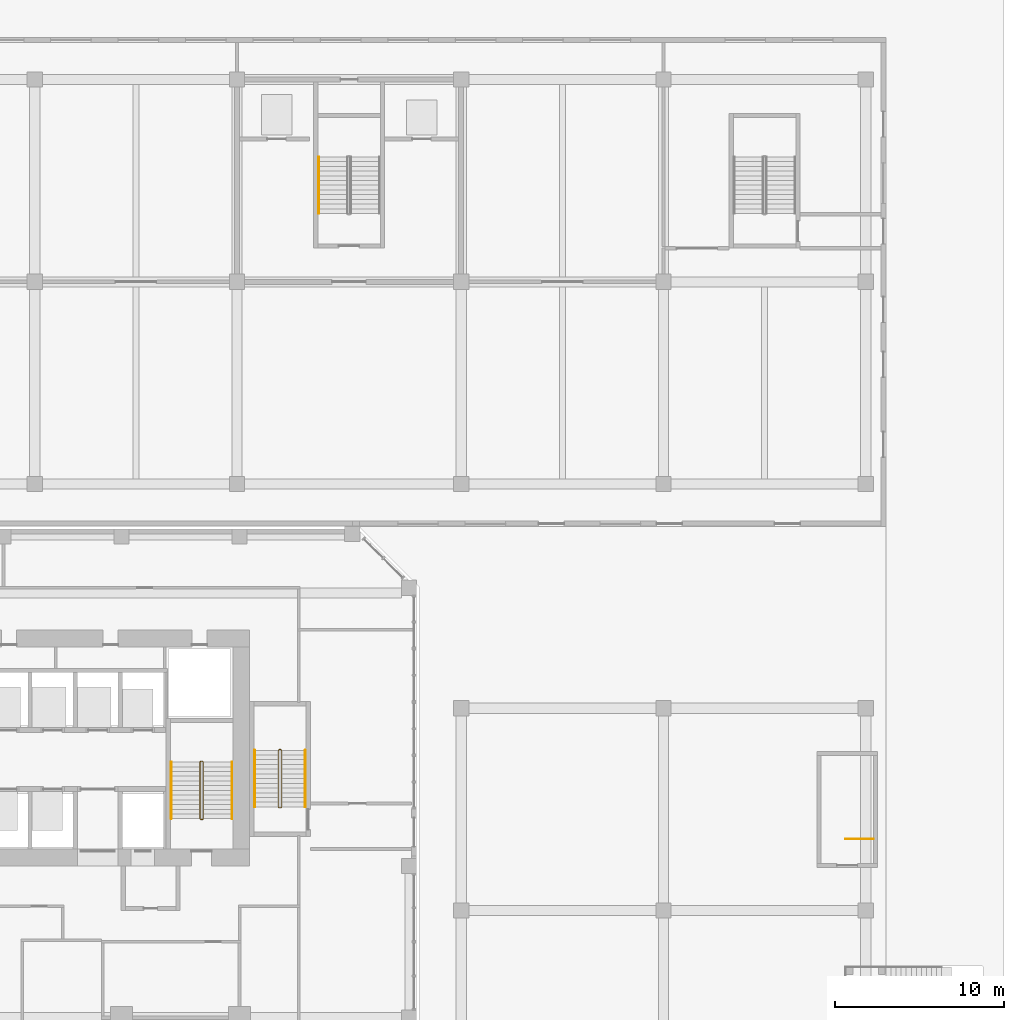
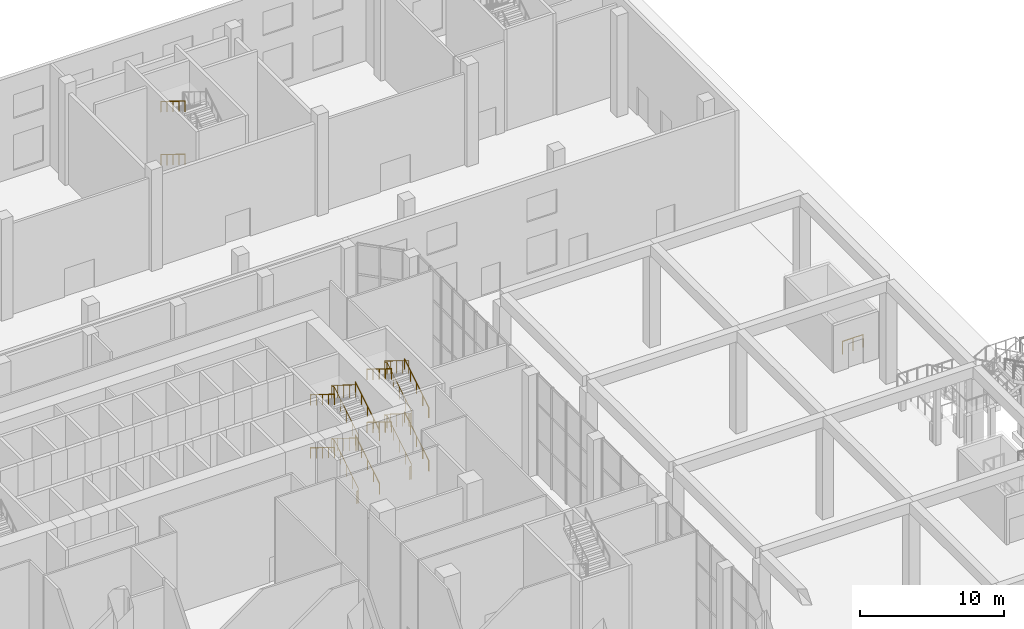
# One storey, part 41 of 43: 13 railings.
"""IFC4 building model written with IfcOpenShell, lengths in metres."""

from ifc_helpers import new_model, si_unit, direction, frame, origin, origin_2d, place, context, subcontext, project, spatial, circle, extrude, material, type_object, element, save


model = new_model("IFC4")

# Units and contexts
model_context = context("Model", 3, precision=1e-05, world=origin(), true_north=direction((0.0, 1.0)))
body_context = subcontext(model_context, "Body", "Model", "MODEL_VIEW")
ifc_project = project(units=[si_unit("LENGTHUNIT", "METRE"), si_unit("AREAUNIT", "SQUARE_METRE"), si_unit("VOLUMEUNIT", "CUBIC_METRE"), si_unit("PLANEANGLEUNIT", "RADIAN"), si_unit("MASSUNIT", "GRAM", prefix="KILO")], contexts=[model_context])

# Site, building, storey
site_placement = place(None, origin())
site = spatial("IfcSite", under=ifc_project, at=site_placement, CompositionType="ELEMENT")
building_placement = place(site_placement, origin())
building = spatial("IfcBuilding", under=site, at=building_placement, Name="Kilnfold Tower and Market Hall", CompositionType="ELEMENT")
storey_placement = place(building_placement, origin())
storey = spatial("IfcBuildingStorey", under=building, at=storey_placement, Name="L00", CompositionType="ELEMENT", Elevation=0.0)

# Railings
ifc_material_1 = material(Name="Stainless steel 316", Category="steel")
railing_type_1 = type_object("IfcRailingType", Name="CAR PARK STAIR GUARD 1100", PredefinedType="GUARDRAIL", material=ifc_material_1)
railing_1_placement = place(storey_placement, frame((55.10009765625, 9.60009765625, 0.0)))
element("IfcRailing", 1, at=railing_1_placement, inside=storey, type_object=railing_type_1, Name="L00 CS4 top well guard 1", PredefinedType="GUARDRAIL", context=body_context, shape_type="SweptSolid", body=[
    extrude(circle(Radius=0.02392578125, at=origin_2d()), frame((0.0, 0.0, 1.076171875), z_axis=(-1.0, 0.0, 0.0), x_axis=(0.0, -1.0, 0.0)), (0.0, 0.0, 1.0), 1.650146484375),
    extrude(circle(Radius=0.02099609375, at=origin_2d()), origin(), (0.0, 0.0, 1.0), 1.052001953125),
    extrude(circle(Radius=0.02099609375, at=origin_2d()), frame((-0.8251953125, 0.0, 0.0)), (0.0, 0.0, 1.0), 1.052001953125),
    extrude(circle(Radius=0.02099609375, at=origin_2d()), frame((-1.650146484375, 0.0, 0.0)), (0.0, 0.0, 1.0), 1.052001953125),
])
ifc_material_2 = material(Name="Stainless steel 316", Category="steel")
railing_type_2 = type_object("IfcRailingType", Name="CORE STAIR GUARD 1100", PredefinedType="GUARDRAIL", material=ifc_material_2)
railing_2_placement = place(storey_placement, frame((15.199951171875, 10.75, 0.0)))
element("IfcRailing", 2, at=railing_2_placement, inside=storey, type_object=railing_type_2, Name="L00 ST2 stair guard 1", PredefinedType="GUARDRAIL", context=body_context, shape_type="SweptSolid", body=[
    extrude(circle(Radius=0.02392578125, at=origin_2d()), frame((0.0, 0.0, 1.076171875), z_axis=(1.0, 0.0, 0.0), x_axis=(0.0, 1.0, 0.0)), (0.0, 0.0, 1.0), 0.10009765625),
    extrude(circle(Radius=0.02392578125, at=origin_2d()), frame((0.10009765625, 0.0, 1.076171875), z_axis=(0.267629722418, 0.267629722418, 0.925607186314), x_axis=(-0.707106781187, 0.707106781187, 0.0)), (0.0, 0.0, 1.0), 0.18701171875),
    extrude(circle(Radius=0.02392578125, at=origin_2d()), frame((0.150146484375, 0.050048828125, 1.2490234375), z_axis=(0.0, 0.850606129759, 0.525803396734), x_axis=(-1.0, 0.0, 0.0)), (0.0, 0.0, 1.0), 3.949951171875),
    extrude(circle(Radius=0.02392578125, at=origin_2d()), frame((0.150146484375, 3.409912109375, 3.326171875), z_axis=(-0.707106781187, 0.707106781187, 0.0), x_axis=(-0.707106781187, -0.707106781187, 0.0)), (0.0, 0.0, 1.0), 0.07080078125),
    extrude(circle(Radius=0.02392578125, at=origin_2d()), frame((0.10009765625, 3.4599609375, 3.326171875), z_axis=(-1.0, 0.0, 0.0), x_axis=(0.0, -1.0, 0.0)), (0.0, 0.0, 1.0), 0.10009765625),
    extrude(circle(Radius=0.02392578125, at=origin_2d()), frame((0.0, 3.4599609375, 3.326171875), z_axis=(-0.267629722418, -0.267629722418, 0.925607186314), x_axis=(0.707106781187, -0.707106781187, 0.0)), (0.0, 0.0, 1.0), 0.18701171875),
    extrude(circle(Radius=0.02392578125, at=origin_2d()), frame((-0.050048828125, 3.409912109375, 3.4990234375), z_axis=(0.0, -0.850606129759, 0.525803396734), x_axis=(1.0, 0.0, 0.0)), (0.0, 0.0, 1.0), 3.949951171875),
    extrude(circle(Radius=0.02392578125, at=origin_2d()), frame((-0.050048828125, 0.050048828125, 5.576171875), z_axis=(0.707106781187, -0.707106781187, 0.0), x_axis=(0.707106781187, 0.707106781187, 0.0)), (0.0, 0.0, 1.0), 0.07080078125),
    extrude(circle(Radius=0.02392578125, at=origin_2d()), frame((0.0, 0.0, 5.576171875), z_axis=(1.0, 0.0, 0.0), x_axis=(0.0, 1.0, 0.0)), (0.0, 0.0, 1.0), 0.10009765625),
    extrude(circle(Radius=0.02392578125, at=origin_2d()), frame((0.10009765625, 0.0, 5.576171875), z_axis=(0.267629722418, 0.267629722418, 0.925607186314), x_axis=(-0.707106781187, 0.707106781187, 0.0)), (0.0, 0.0, 1.0), 0.18701171875),
    extrude(circle(Radius=0.02392578125, at=origin_2d()), frame((0.150146484375, 0.050048828125, 5.7490234375), z_axis=(0.0, 0.850606129759, 0.525803396734), x_axis=(-1.0, 0.0, 0.0)), (0.0, 0.0, 1.0), 3.949951171875),
    extrude(circle(Radius=0.02392578125, at=origin_2d()), frame((0.150146484375, 3.409912109375, 7.826171875), z_axis=(-0.707106781187, 0.707106781187, 0.0), x_axis=(-0.707106781187, -0.707106781187, 0.0)), (0.0, 0.0, 1.0), 0.07080078125),
    extrude(circle(Radius=0.02392578125, at=origin_2d()), frame((0.10009765625, 3.4599609375, 7.826171875), z_axis=(-1.0, 0.0, 0.0), x_axis=(0.0, -1.0, 0.0)), (0.0, 0.0, 1.0), 0.10009765625),
    extrude(circle(Radius=0.02392578125, at=origin_2d()), frame((0.0, 3.4599609375, 7.826171875), z_axis=(-0.267629722418, -0.267629722418, 0.925607186314), x_axis=(0.707106781187, -0.707106781187, 0.0)), (0.0, 0.0, 1.0), 0.18701171875),
    extrude(circle(Radius=0.02392578125, at=origin_2d()), frame((-0.050048828125, 3.409912109375, 7.9990234375), z_axis=(0.0, -0.850606129759, 0.525803396734), x_axis=(1.0, 0.0, 0.0)), (0.0, 0.0, 1.0), 3.949951171875),
    extrude(circle(Radius=0.02099609375, at=origin_2d()), origin(), (0.0, 0.0, 1.0), 1.052001953125),
    extrude(circle(Radius=0.02099609375, at=origin_2d()), frame((0.10009765625, 0.0, 0.0)), (0.0, 0.0, 1.0), 1.052001953125),
    extrude(circle(Radius=0.02099609375, at=origin_2d()), frame((0.150146484375, 0.050048828125, 0.173095703125)), (0.0, 0.0, 1.0), 1.052001953125),
    extrude(circle(Radius=0.02099609375, at=origin_2d()), frame((0.150146484375, 0.89013671875, 0.6923828125)), (0.0, 0.0, 1.0), 1.052001953125),
    extrude(circle(Radius=0.02099609375, at=origin_2d()), frame((0.150146484375, 1.72998046875, 1.21142578125)), (0.0, 0.0, 1.0), 1.052001953125),
    extrude(circle(Radius=0.02099609375, at=origin_2d()), frame((0.150146484375, 2.56982421875, 1.730712890625)), (0.0, 0.0, 1.0), 1.052001953125),
    extrude(circle(Radius=0.02099609375, at=origin_2d()), frame((0.150146484375, 3.409912109375, 2.25)), (0.0, 0.0, 1.0), 1.052001953125),
    extrude(circle(Radius=0.02099609375, at=origin_2d()), frame((0.10009765625, 3.4599609375, 2.25)), (0.0, 0.0, 1.0), 1.052001953125),
    extrude(circle(Radius=0.02099609375, at=origin_2d()), frame((0.0, 3.4599609375, 2.25)), (0.0, 0.0, 1.0), 1.052001953125),
    extrude(circle(Radius=0.02099609375, at=origin_2d()), frame((-0.050048828125, 3.409912109375, 2.423095703125)), (0.0, 0.0, 1.0), 1.052001953125),
    extrude(circle(Radius=0.02099609375, at=origin_2d()), frame((-0.050048828125, 2.56982421875, 2.9423828125)), (0.0, 0.0, 1.0), 1.052001953125),
    extrude(circle(Radius=0.02099609375, at=origin_2d()), frame((-0.050048828125, 1.72998046875, 3.46142578125)), (0.0, 0.0, 1.0), 1.052001953125),
    extrude(circle(Radius=0.02099609375, at=origin_2d()), frame((-0.050048828125, 0.89013671875, 3.980712890625)), (0.0, 0.0, 1.0), 1.052001953125),
    extrude(circle(Radius=0.02099609375, at=origin_2d()), frame((-0.050048828125, 0.050048828125, 4.5)), (0.0, 0.0, 1.0), 1.052001953125),
    extrude(circle(Radius=0.02099609375, at=origin_2d()), frame((0.0, 0.0, 4.5)), (0.0, 0.0, 1.0), 1.052001953125),
    extrude(circle(Radius=0.02099609375, at=origin_2d()), frame((0.10009765625, 0.0, 4.5)), (0.0, 0.0, 1.0), 1.052001953125),
    extrude(circle(Radius=0.02099609375, at=origin_2d()), frame((0.150146484375, 0.050048828125, 4.673095703125)), (0.0, 0.0, 1.0), 1.052001953125),
    extrude(circle(Radius=0.02099609375, at=origin_2d()), frame((0.150146484375, 0.89013671875, 5.1923828125)), (0.0, 0.0, 1.0), 1.052001953125),
    extrude(circle(Radius=0.02099609375, at=origin_2d()), frame((0.150146484375, 1.72998046875, 5.71142578125)), (0.0, 0.0, 1.0), 1.052001953125),
    extrude(circle(Radius=0.02099609375, at=origin_2d()), frame((0.150146484375, 2.56982421875, 6.230712890625)), (0.0, 0.0, 1.0), 1.052001953125),
    extrude(circle(Radius=0.02099609375, at=origin_2d()), frame((0.150146484375, 3.409912109375, 6.75)), (0.0, 0.0, 1.0), 1.052001953125),
    extrude(circle(Radius=0.02099609375, at=origin_2d()), frame((0.10009765625, 3.4599609375, 6.75)), (0.0, 0.0, 1.0), 1.052001953125),
    extrude(circle(Radius=0.02099609375, at=origin_2d()), frame((0.0, 3.4599609375, 6.75)), (0.0, 0.0, 1.0), 1.052001953125),
    extrude(circle(Radius=0.02099609375, at=origin_2d()), frame((-0.050048828125, 3.409912109375, 6.923095703125)), (0.0, 0.0, 1.0), 1.052001953125),
    extrude(circle(Radius=0.02099609375, at=origin_2d()), frame((-0.050048828125, 2.56982421875, 7.4423828125)), (0.0, 0.0, 1.0), 1.052001953125),
    extrude(circle(Radius=0.02099609375, at=origin_2d()), frame((-0.050048828125, 1.72998046875, 7.96142578125)), (0.0, 0.0, 1.0), 1.052001953125),
    extrude(circle(Radius=0.02099609375, at=origin_2d()), frame((-0.050048828125, 0.89013671875, 8.480712890625)), (0.0, 0.0, 1.0), 1.052001953125),
    extrude(circle(Radius=0.02099609375, at=origin_2d()), frame((-0.050048828125, 0.050048828125, 9.0)), (0.0, 0.0, 1.0), 1.052001953125),
])
railing_3_placement = place(storey_placement, frame((19.85009765625, 11.449951171875, 0.0)))
element("IfcRailing", 3, at=railing_3_placement, inside=storey, type_object=railing_type_2, Name="L00 ST5 stair guard 1", PredefinedType="GUARDRAIL", context=body_context, shape_type="SweptSolid", body=[
    extrude(circle(Radius=0.02392578125, at=origin_2d()), frame((0.0, 0.0, 1.076171875), z_axis=(1.0, 0.0, 0.0), x_axis=(0.0, 1.0, 0.0)), (0.0, 0.0, 1.0), 0.099853515625),
    extrude(circle(Radius=0.02392578125, at=origin_2d()), frame((0.099853515625, 0.0, 1.076171875), z_axis=(0.267629722418, 0.267629722418, 0.925607186314), x_axis=(-0.707106781187, 0.707106781187, 0.0)), (0.0, 0.0, 1.0), 0.18701171875),
    extrude(circle(Radius=0.02392578125, at=origin_2d()), frame((0.14990234375, 0.050048828125, 1.2490234375), z_axis=(0.0, 0.850623216509, 0.525775754039), x_axis=(-1.0, 0.0, 0.0)), (0.0, 0.0, 1.0), 3.9501953125),
    extrude(circle(Radius=0.02392578125, at=origin_2d()), frame((0.14990234375, 3.41015625, 3.326171875), z_axis=(-0.708833529934, 0.705375805398, 0.0), x_axis=(-0.705375805398, -0.708833529934, 0.0)), (0.0, 0.0, 1.0), 0.070556640625),
    extrude(circle(Radius=0.02392578125, at=origin_2d()), frame((0.099853515625, 3.4599609375, 3.326171875), z_axis=(-1.0, 0.0, 0.0), x_axis=(0.0, -1.0, 0.0)), (0.0, 0.0, 1.0), 0.099853515625),
    extrude(circle(Radius=0.02392578125, at=origin_2d()), frame((0.0, 3.4599609375, 3.326171875), z_axis=(-0.267723051232, -0.266417085129, 0.925929967433), x_axis=(0.705375805398, -0.708833529934, 0.0)), (0.0, 0.0, 1.0), 0.18701171875),
    extrude(circle(Radius=0.02392578125, at=origin_2d()), frame((-0.050048828125, 3.41015625, 3.4990234375), z_axis=(0.0, -0.850623216509, 0.525775754039), x_axis=(1.0, 0.0, 0.0)), (0.0, 0.0, 1.0), 3.9501953125),
    extrude(circle(Radius=0.02392578125, at=origin_2d()), frame((-0.050048828125, 0.050048828125, 5.576171875), z_axis=(0.707106781187, -0.707106781187, 0.0), x_axis=(0.707106781187, 0.707106781187, 0.0)), (0.0, 0.0, 1.0), 0.07080078125),
    extrude(circle(Radius=0.02392578125, at=origin_2d()), frame((0.0, 0.0, 5.576171875), z_axis=(1.0, 0.0, 0.0), x_axis=(0.0, 1.0, 0.0)), (0.0, 0.0, 1.0), 0.099853515625),
    extrude(circle(Radius=0.02392578125, at=origin_2d()), frame((0.099853515625, 0.0, 5.576171875), z_axis=(0.267629722418, 0.267629722418, 0.925607186314), x_axis=(-0.707106781187, 0.707106781187, 0.0)), (0.0, 0.0, 1.0), 0.18701171875),
    extrude(circle(Radius=0.02392578125, at=origin_2d()), frame((0.14990234375, 0.050048828125, 5.7490234375), z_axis=(0.0, 0.850623216509, 0.525775754039), x_axis=(-1.0, 0.0, 0.0)), (0.0, 0.0, 1.0), 3.9501953125),
    extrude(circle(Radius=0.02392578125, at=origin_2d()), frame((0.14990234375, 3.41015625, 7.826171875), z_axis=(-0.708833529934, 0.705375805398, 0.0), x_axis=(-0.705375805398, -0.708833529934, 0.0)), (0.0, 0.0, 1.0), 0.070556640625),
    extrude(circle(Radius=0.02392578125, at=origin_2d()), frame((0.099853515625, 3.4599609375, 7.826171875), z_axis=(-1.0, 0.0, 0.0), x_axis=(0.0, -1.0, 0.0)), (0.0, 0.0, 1.0), 0.099853515625),
    extrude(circle(Radius=0.02392578125, at=origin_2d()), frame((0.0, 3.4599609375, 7.826171875), z_axis=(-0.267723051232, -0.266417085129, 0.925929967433), x_axis=(0.705375805398, -0.708833529934, 0.0)), (0.0, 0.0, 1.0), 0.18701171875),
    extrude(circle(Radius=0.02392578125, at=origin_2d()), frame((-0.050048828125, 3.41015625, 7.9990234375), z_axis=(0.0, -0.850623216509, 0.525775754039), x_axis=(1.0, 0.0, 0.0)), (0.0, 0.0, 1.0), 3.9501953125),
    extrude(circle(Radius=0.02099609375, at=origin_2d()), origin(), (0.0, 0.0, 1.0), 1.052001953125),
    extrude(circle(Radius=0.02099609375, at=origin_2d()), frame((0.099853515625, 0.0, 0.0)), (0.0, 0.0, 1.0), 1.052001953125),
    extrude(circle(Radius=0.02099609375, at=origin_2d()), frame((0.14990234375, 0.050048828125, 0.173095703125)), (0.0, 0.0, 1.0), 1.052001953125),
    extrude(circle(Radius=0.02099609375, at=origin_2d()), frame((0.14990234375, 0.89013671875, 0.6923828125)), (0.0, 0.0, 1.0), 1.052001953125),
    extrude(circle(Radius=0.02099609375, at=origin_2d()), frame((0.14990234375, 1.72998046875, 1.21142578125)), (0.0, 0.0, 1.0), 1.052001953125),
    extrude(circle(Radius=0.02099609375, at=origin_2d()), frame((0.14990234375, 2.570068359375, 1.730712890625)), (0.0, 0.0, 1.0), 1.052001953125),
    extrude(circle(Radius=0.02099609375, at=origin_2d()), frame((0.14990234375, 3.41015625, 2.25)), (0.0, 0.0, 1.0), 1.052001953125),
    extrude(circle(Radius=0.02099609375, at=origin_2d()), frame((0.099853515625, 3.4599609375, 2.25)), (0.0, 0.0, 1.0), 1.052001953125),
    extrude(circle(Radius=0.02099609375, at=origin_2d()), frame((0.0, 3.4599609375, 2.25)), (0.0, 0.0, 1.0), 1.052001953125),
    extrude(circle(Radius=0.02099609375, at=origin_2d()), frame((-0.050048828125, 3.41015625, 2.423095703125)), (0.0, 0.0, 1.0), 1.052001953125),
    extrude(circle(Radius=0.02099609375, at=origin_2d()), frame((-0.050048828125, 2.570068359375, 2.9423828125)), (0.0, 0.0, 1.0), 1.052001953125),
    extrude(circle(Radius=0.02099609375, at=origin_2d()), frame((-0.050048828125, 1.72998046875, 3.46142578125)), (0.0, 0.0, 1.0), 1.052001953125),
    extrude(circle(Radius=0.02099609375, at=origin_2d()), frame((-0.050048828125, 0.89013671875, 3.980712890625)), (0.0, 0.0, 1.0), 1.052001953125),
    extrude(circle(Radius=0.02099609375, at=origin_2d()), frame((-0.050048828125, 0.050048828125, 4.5)), (0.0, 0.0, 1.0), 1.052001953125),
    extrude(circle(Radius=0.02099609375, at=origin_2d()), frame((0.0, 0.0, 4.5)), (0.0, 0.0, 1.0), 1.052001953125),
    extrude(circle(Radius=0.02099609375, at=origin_2d()), frame((0.099853515625, 0.0, 4.5)), (0.0, 0.0, 1.0), 1.052001953125),
    extrude(circle(Radius=0.02099609375, at=origin_2d()), frame((0.14990234375, 0.050048828125, 4.673095703125)), (0.0, 0.0, 1.0), 1.052001953125),
    extrude(circle(Radius=0.02099609375, at=origin_2d()), frame((0.14990234375, 0.89013671875, 5.1923828125)), (0.0, 0.0, 1.0), 1.052001953125),
    extrude(circle(Radius=0.02099609375, at=origin_2d()), frame((0.14990234375, 1.72998046875, 5.71142578125)), (0.0, 0.0, 1.0), 1.052001953125),
    extrude(circle(Radius=0.02099609375, at=origin_2d()), frame((0.14990234375, 2.570068359375, 6.230712890625)), (0.0, 0.0, 1.0), 1.052001953125),
    extrude(circle(Radius=0.02099609375, at=origin_2d()), frame((0.14990234375, 3.41015625, 6.75)), (0.0, 0.0, 1.0), 1.052001953125),
    extrude(circle(Radius=0.02099609375, at=origin_2d()), frame((0.099853515625, 3.4599609375, 6.75)), (0.0, 0.0, 1.0), 1.052001953125),
    extrude(circle(Radius=0.02099609375, at=origin_2d()), frame((0.0, 3.4599609375, 6.75)), (0.0, 0.0, 1.0), 1.052001953125),
    extrude(circle(Radius=0.02099609375, at=origin_2d()), frame((-0.050048828125, 3.41015625, 6.923095703125)), (0.0, 0.0, 1.0), 1.052001953125),
    extrude(circle(Radius=0.02099609375, at=origin_2d()), frame((-0.050048828125, 2.570068359375, 7.4423828125)), (0.0, 0.0, 1.0), 1.052001953125),
    extrude(circle(Radius=0.02099609375, at=origin_2d()), frame((-0.050048828125, 1.72998046875, 7.96142578125)), (0.0, 0.0, 1.0), 1.052001953125),
    extrude(circle(Radius=0.02099609375, at=origin_2d()), frame((-0.050048828125, 0.89013671875, 8.480712890625)), (0.0, 0.0, 1.0), 1.052001953125),
    extrude(circle(Radius=0.02099609375, at=origin_2d()), frame((-0.050048828125, 0.050048828125, 9.0)), (0.0, 0.0, 1.0), 1.052001953125),
])
ifc_material_3 = material(Name="Stainless steel 316", Category="steel")
railing_type_3 = type_object("IfcRailingType", Name="CORE STAIR HANDRAIL 900", PredefinedType="HANDRAIL", material=ifc_material_3)
railing_4_placement = place(storey_placement, frame((17.050048828125, 10.800048828125, 0.173095703125)))
element("IfcRailing", 4, at=railing_4_placement, inside=storey, type_object=railing_type_3, Name="L00 ST2 stair handrail 1", PredefinedType="HANDRAIL", context=body_context, shape_type="SweptSolid", body=[
    extrude(circle(Radius=0.02392578125, at=origin_2d()), frame((0.0, 0.0, 0.8759765625), z_axis=(0.0, 0.850606129759, 0.525803396734), x_axis=(-1.0, 0.0, 0.0)), (0.0, 0.0, 1.0), 3.949951171875),
    extrude(circle(Radius=0.02099609375, at=origin_2d()), origin(), (0.0, 0.0, 1.0), 0.851806640625),
    extrude(circle(Radius=0.02099609375, at=origin_2d()), frame((0.0, 0.83984375, 0.519287109375)), (0.0, 0.0, 1.0), 0.851806640625),
    extrude(circle(Radius=0.02099609375, at=origin_2d()), frame((0.0, 1.679931640625, 1.03857421875)), (0.0, 0.0, 1.0), 0.851806640625),
    extrude(circle(Radius=0.02099609375, at=origin_2d()), frame((0.0, 2.52001953125, 1.5576171875)), (0.0, 0.0, 1.0), 0.851806640625),
    extrude(circle(Radius=0.02099609375, at=origin_2d()), frame((0.0, 3.35986328125, 2.076904296875)), (0.0, 0.0, 1.0), 0.851806640625),
])
railing_5_placement = place(storey_placement, frame((13.449951171875, 14.159912109375, 2.423095703125)))
element("IfcRailing", 5, at=railing_5_placement, inside=storey, type_object=railing_type_3, Name="L00 ST2 stair handrail 2", PredefinedType="HANDRAIL", context=body_context, shape_type="SweptSolid", body=[
    extrude(circle(Radius=0.02392578125, at=origin_2d()), frame((0.0, 0.0, 0.8759765625), z_axis=(0.0, -0.850606129759, 0.525803396734), x_axis=(1.0, 0.0, 0.0)), (0.0, 0.0, 1.0), 3.949951171875),
    extrude(circle(Radius=0.02099609375, at=origin_2d()), origin(), (0.0, 0.0, 1.0), 0.851806640625),
    extrude(circle(Radius=0.02099609375, at=origin_2d()), frame((0.0, -0.83984375, 0.519287109375)), (0.0, 0.0, 1.0), 0.851806640625),
    extrude(circle(Radius=0.02099609375, at=origin_2d()), frame((0.0, -1.679931640625, 1.03857421875)), (0.0, 0.0, 1.0), 0.851806640625),
    extrude(circle(Radius=0.02099609375, at=origin_2d()), frame((0.0, -2.52001953125, 1.5576171875)), (0.0, 0.0, 1.0), 0.851806640625),
    extrude(circle(Radius=0.02099609375, at=origin_2d()), frame((0.0, -3.35986328125, 2.076904296875)), (0.0, 0.0, 1.0), 0.851806640625),
])
railing_6_placement = place(storey_placement, frame((17.050048828125, 10.800048828125, 4.673095703125)))
element("IfcRailing", 6, at=railing_6_placement, inside=storey, type_object=railing_type_3, Name="L00 ST2 stair handrail 3", PredefinedType="HANDRAIL", context=body_context, shape_type="SweptSolid", body=[
    extrude(circle(Radius=0.02392578125, at=origin_2d()), frame((0.0, 0.0, 0.8759765625), z_axis=(0.0, 0.850606129759, 0.525803396734), x_axis=(-1.0, 0.0, 0.0)), (0.0, 0.0, 1.0), 3.949951171875),
    extrude(circle(Radius=0.02099609375, at=origin_2d()), origin(), (0.0, 0.0, 1.0), 0.851806640625),
    extrude(circle(Radius=0.02099609375, at=origin_2d()), frame((0.0, 0.83984375, 0.519287109375)), (0.0, 0.0, 1.0), 0.851806640625),
    extrude(circle(Radius=0.02099609375, at=origin_2d()), frame((0.0, 1.679931640625, 1.03857421875)), (0.0, 0.0, 1.0), 0.851806640625),
    extrude(circle(Radius=0.02099609375, at=origin_2d()), frame((0.0, 2.52001953125, 1.5576171875)), (0.0, 0.0, 1.0), 0.851806640625),
    extrude(circle(Radius=0.02099609375, at=origin_2d()), frame((0.0, 3.35986328125, 2.076904296875)), (0.0, 0.0, 1.0), 0.851806640625),
])
railing_7_placement = place(storey_placement, frame((13.449951171875, 14.159912109375, 6.923095703125)))
element("IfcRailing", 7, at=railing_7_placement, inside=storey, type_object=railing_type_3, Name="L00 ST2 stair handrail 4", PredefinedType="HANDRAIL", context=body_context, shape_type="SweptSolid", body=[
    extrude(circle(Radius=0.02392578125, at=origin_2d()), frame((0.0, 0.0, 0.8759765625), z_axis=(0.0, -0.850606129759, 0.525803396734), x_axis=(1.0, 0.0, 0.0)), (0.0, 0.0, 1.0), 3.949951171875),
    extrude(circle(Radius=0.02099609375, at=origin_2d()), origin(), (0.0, 0.0, 1.0), 0.851806640625),
    extrude(circle(Radius=0.02099609375, at=origin_2d()), frame((0.0, -0.83984375, 0.519287109375)), (0.0, 0.0, 1.0), 0.851806640625),
    extrude(circle(Radius=0.02099609375, at=origin_2d()), frame((0.0, -1.679931640625, 1.03857421875)), (0.0, 0.0, 1.0), 0.851806640625),
    extrude(circle(Radius=0.02099609375, at=origin_2d()), frame((0.0, -2.52001953125, 1.5576171875)), (0.0, 0.0, 1.0), 0.851806640625),
    extrude(circle(Radius=0.02099609375, at=origin_2d()), frame((0.0, -3.35986328125, 2.076904296875)), (0.0, 0.0, 1.0), 0.851806640625),
])
railing_8_placement = place(storey_placement, frame((21.39990234375, 11.5, 0.173095703125)))
element("IfcRailing", 8, at=railing_8_placement, inside=storey, type_object=railing_type_3, Name="L00 ST5 stair handrail 1", PredefinedType="HANDRAIL", context=body_context, shape_type="SweptSolid", body=[
    extrude(circle(Radius=0.02392578125, at=origin_2d()), frame((0.0, 0.0, 0.8759765625), z_axis=(0.0, 0.850623216509, 0.525775754039), x_axis=(-1.0, 0.0, 0.0)), (0.0, 0.0, 1.0), 3.9501953125),
    extrude(circle(Radius=0.02099609375, at=origin_2d()), origin(), (0.0, 0.0, 1.0), 0.851806640625),
    extrude(circle(Radius=0.02099609375, at=origin_2d()), frame((0.0, 0.840087890625, 0.519287109375)), (0.0, 0.0, 1.0), 0.851806640625),
    extrude(circle(Radius=0.02099609375, at=origin_2d()), frame((0.0, 1.68017578125, 1.03857421875)), (0.0, 0.0, 1.0), 0.851806640625),
    extrude(circle(Radius=0.02099609375, at=origin_2d()), frame((0.0, 2.52001953125, 1.5576171875)), (0.0, 0.0, 1.0), 0.851806640625),
    extrude(circle(Radius=0.02099609375, at=origin_2d()), frame((0.0, 3.360107421875, 2.076904296875)), (0.0, 0.0, 1.0), 0.851806640625),
])
railing_9_placement = place(storey_placement, frame((18.39990234375, 14.860107421875, 2.423095703125)))
element("IfcRailing", 9, at=railing_9_placement, inside=storey, type_object=railing_type_3, Name="L00 ST5 stair handrail 2", PredefinedType="HANDRAIL", context=body_context, shape_type="SweptSolid", body=[
    extrude(circle(Radius=0.02392578125, at=origin_2d()), frame((0.0, 0.0, 0.8759765625), z_axis=(0.0, -0.850623216509, 0.525775754039), x_axis=(1.0, 0.0, 0.0)), (0.0, 0.0, 1.0), 3.9501953125),
    extrude(circle(Radius=0.02099609375, at=origin_2d()), origin(), (0.0, 0.0, 1.0), 0.851806640625),
    extrude(circle(Radius=0.02099609375, at=origin_2d()), frame((0.0, -0.840087890625, 0.519287109375)), (0.0, 0.0, 1.0), 0.851806640625),
    extrude(circle(Radius=0.02099609375, at=origin_2d()), frame((0.0, -1.68017578125, 1.03857421875)), (0.0, 0.0, 1.0), 0.851806640625),
    extrude(circle(Radius=0.02099609375, at=origin_2d()), frame((0.0, -2.52001953125, 1.5576171875)), (0.0, 0.0, 1.0), 0.851806640625),
    extrude(circle(Radius=0.02099609375, at=origin_2d()), frame((0.0, -3.360107421875, 2.076904296875)), (0.0, 0.0, 1.0), 0.851806640625),
])
railing_10_placement = place(storey_placement, frame((21.39990234375, 11.5, 4.673095703125)))
element("IfcRailing", 10, at=railing_10_placement, inside=storey, type_object=railing_type_3, Name="L00 ST5 stair handrail 3", PredefinedType="HANDRAIL", context=body_context, shape_type="SweptSolid", body=[
    extrude(circle(Radius=0.02392578125, at=origin_2d()), frame((0.0, 0.0, 0.8759765625), z_axis=(0.0, 0.850623216509, 0.525775754039), x_axis=(-1.0, 0.0, 0.0)), (0.0, 0.0, 1.0), 3.9501953125),
    extrude(circle(Radius=0.02099609375, at=origin_2d()), origin(), (0.0, 0.0, 1.0), 0.851806640625),
    extrude(circle(Radius=0.02099609375, at=origin_2d()), frame((0.0, 0.840087890625, 0.519287109375)), (0.0, 0.0, 1.0), 0.851806640625),
    extrude(circle(Radius=0.02099609375, at=origin_2d()), frame((0.0, 1.68017578125, 1.03857421875)), (0.0, 0.0, 1.0), 0.851806640625),
    extrude(circle(Radius=0.02099609375, at=origin_2d()), frame((0.0, 2.52001953125, 1.5576171875)), (0.0, 0.0, 1.0), 0.851806640625),
    extrude(circle(Radius=0.02099609375, at=origin_2d()), frame((0.0, 3.360107421875, 2.076904296875)), (0.0, 0.0, 1.0), 0.851806640625),
])
railing_11_placement = place(storey_placement, frame((18.39990234375, 14.860107421875, 6.923095703125)))
element("IfcRailing", 11, at=railing_11_placement, inside=storey, type_object=railing_type_3, Name="L00 ST5 stair handrail 4", PredefinedType="HANDRAIL", context=body_context, shape_type="SweptSolid", body=[
    extrude(circle(Radius=0.02392578125, at=origin_2d()), frame((0.0, 0.0, 0.8759765625), z_axis=(0.0, -0.850623216509, 0.525775754039), x_axis=(1.0, 0.0, 0.0)), (0.0, 0.0, 1.0), 3.9501953125),
    extrude(circle(Radius=0.02099609375, at=origin_2d()), origin(), (0.0, 0.0, 1.0), 0.851806640625),
    extrude(circle(Radius=0.02099609375, at=origin_2d()), frame((0.0, -0.840087890625, 0.519287109375)), (0.0, 0.0, 1.0), 0.851806640625),
    extrude(circle(Radius=0.02099609375, at=origin_2d()), frame((0.0, -1.68017578125, 1.03857421875)), (0.0, 0.0, 1.0), 0.851806640625),
    extrude(circle(Radius=0.02099609375, at=origin_2d()), frame((0.0, -2.52001953125, 1.5576171875)), (0.0, 0.0, 1.0), 0.851806640625),
    extrude(circle(Radius=0.02099609375, at=origin_2d()), frame((0.0, -3.360107421875, 2.076904296875)), (0.0, 0.0, 1.0), 0.851806640625),
])
ifc_material_4 = material(Name="Steel S355", Category="steel")
railing_type_4 = type_object("IfcRailingType", Name="HALL STAIR HANDRAIL", PredefinedType="HANDRAIL", material=ifc_material_4)
for number, where, name in (
    (12, (22.199951171875, 50.06005859375, 2.423095703125), "L00 MS5 stair handrail 2"),
    (13, (22.199951171875, 50.06005859375, 6.923095703125), "L00 MS5 stair handrail 4"),
):
    element("IfcRailing", number, at=place(storey_placement, frame(where)), inside=storey, type_object=railing_type_4, Name=name, PredefinedType="HANDRAIL", context=body_context, shape_type="SweptSolid", body=[
        extrude(circle(Radius=0.02392578125, at=origin_2d()), frame((0.0, 0.0, 0.8759765625), z_axis=(0.0, -0.850623216509, 0.525775754039), x_axis=(1.0, 0.0, 0.0)), (0.0, 0.0, 1.0), 3.9501953125),
        extrude(circle(Radius=0.02099609375, at=origin_2d()), origin(), (0.0, 0.0, 1.0), 0.851806640625),
        extrude(circle(Radius=0.02099609375, at=origin_2d()), frame((0.0, -0.840087890625, 0.519287109375)), (0.0, 0.0, 1.0), 0.851806640625),
        extrude(circle(Radius=0.02099609375, at=origin_2d()), frame((0.0, -1.68017578125, 1.03857421875)), (0.0, 0.0, 1.0), 0.851806640625),
        extrude(circle(Radius=0.02099609375, at=origin_2d()), frame((0.0, -2.52001953125, 1.5576171875)), (0.0, 0.0, 1.0), 0.851806640625),
        extrude(circle(Radius=0.02099609375, at=origin_2d()), frame((0.0, -3.360107421875, 2.076904296875)), (0.0, 0.0, 1.0), 0.851806640625),
    ])

save(model, "model.ifc")
